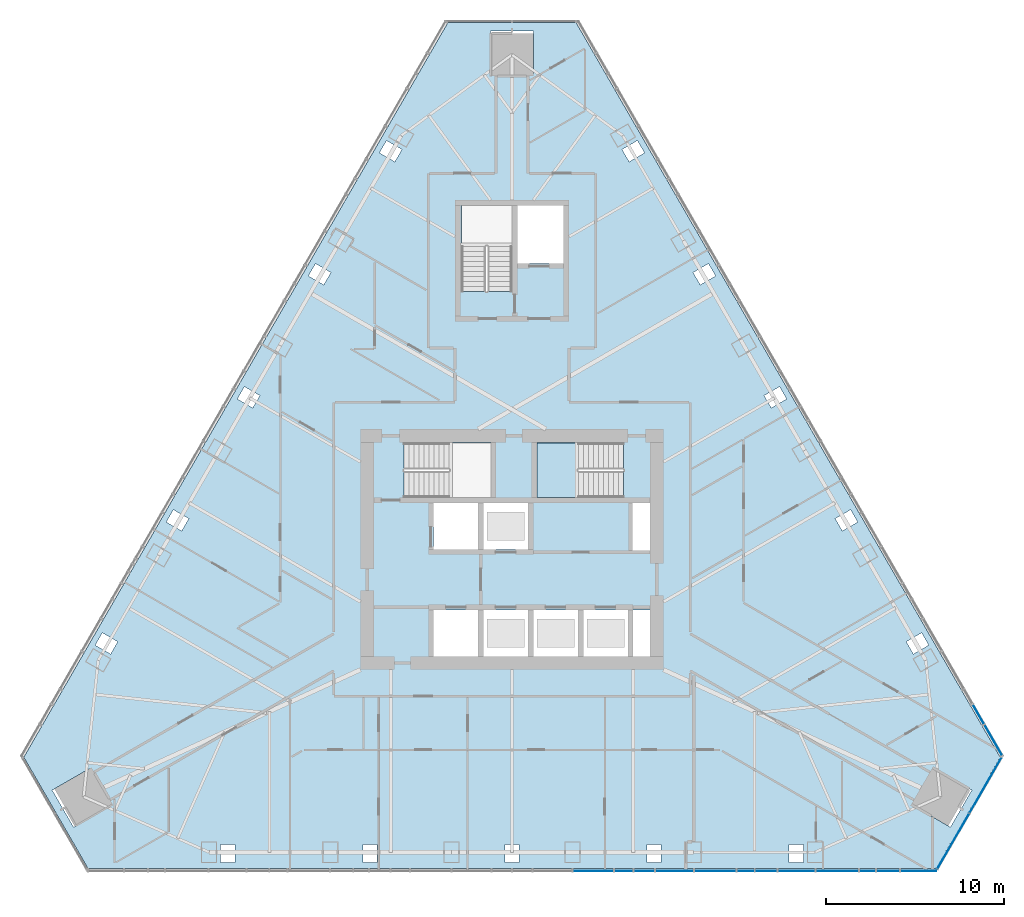
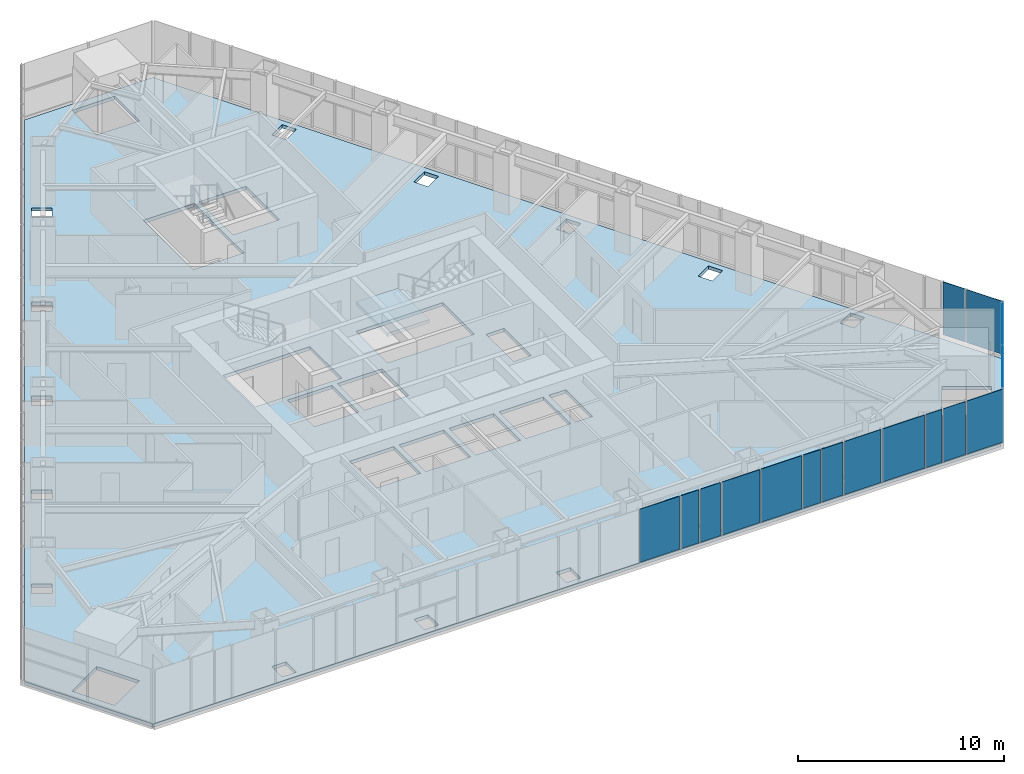
# One storey, part 11 of 19: 17 plates, 2 slabs, 4 elements without a shape of their own.
"""IFC4 building model written with IfcOpenShell, lengths in metres."""

from ifc_helpers import new_model, si_unit, direction, frame, origin, place, context, subcontext, project, spatial, polyline, outline, extrude, material, layer, layer_set, type_object, element, aggregate, save


model = new_model("IFC4")

# Units and contexts
model_context = context("Model", 3, precision=1e-05, world=origin(), true_north=direction((0.0, 1.0)))
body_context = subcontext(model_context, "Body", "Model", "MODEL_VIEW")
ifc_project = project(units=[si_unit("LENGTHUNIT", "METRE"), si_unit("AREAUNIT", "SQUARE_METRE"), si_unit("VOLUMEUNIT", "CUBIC_METRE"), si_unit("PLANEANGLEUNIT", "RADIAN"), si_unit("MASSUNIT", "GRAM", prefix="KILO")], contexts=[model_context])

# Site, building, storey
site_placement = place(None, origin())
site = spatial("IfcSite", under=ifc_project, at=site_placement, CompositionType="ELEMENT")
building_placement = place(site_placement, origin())
building = spatial("IfcBuilding", under=site, at=building_placement, Name="Firuza Gate Tower and Library", CompositionType="ELEMENT")
storey_placement = place(building_placement, frame((0.0, 0.0, 256.60009765625)))
storey = spatial("IfcBuildingStorey", under=building, at=storey_placement, Name="L60", CompositionType="ELEMENT", Elevation=256.60009765625)

# Slab
ifc_material_1 = material(Name="Concrete C40/50", Category="concrete")
ifc_layer_1 = layer(ifc_material_1, 0.199951171875)
ifc_layer_set_1 = layer_set([ifc_layer_1], Name="Composite floor slab 200 C40/50")
slab_type_1 = type_object("IfcSlabType", Name="Composite floor slab 200 C40/50", PredefinedType="FLOOR", material=ifc_layer_set_1)
slab_1_placement = place(storey_placement, frame((0.0, 0.0, -0.2001953125)))
element("IfcSlab", 1, at=slab_1_placement, inside=storey, type_object=slab_type_1, Name="Floor slab L60", PredefinedType="FLOOR", context=body_context, shape_type="SweptSolid", body=[
    extrude(outline(polyline([(47.60009765625, 63.337646484375), (51.199951171875, 57.10205078125), (98.800048828125, 57.10205078125), (102.39990234375, 63.337646484375), (78.60009765625, 104.560302734375), (71.39990234375, 104.560302734375), (47.60009765625, 63.337646484375)]), holes=[polyline([(59.449951171875, 57.429931640625), (58.64990234375, 57.429931640625), (58.64990234375, 58.429931640625), (59.449951171875, 58.429931640625), (59.449951171875, 57.429931640625)]), polyline([(66.625, 57.429931640625), (66.625, 58.429931640625), (67.425048828125, 58.429931640625), (67.425048828125, 57.429931640625), (66.625, 57.429931640625)]), polyline([(49.194580078125, 61.48681640625), (51.273193359375, 62.68701171875), (52.47314453125, 60.6083984375), (50.39453125, 59.408447265625), (49.194580078125, 61.48681640625)]), polyline([(52.0087890625, 70.318359375), (52.875, 69.818359375), (52.474853515625, 69.12548828125), (51.60888671875, 69.62548828125), (52.0087890625, 70.318359375)]), polyline([(73.10009765625, 69.0), (70.60009765625, 69.0), (70.60009765625, 71.60009765625), (73.10009765625, 71.60009765625), (73.10009765625, 69.0)]), polyline([(75.89990234375, 69.0), (73.39990234375, 69.0), (73.39990234375, 71.60009765625), (75.89990234375, 71.60009765625), (75.89990234375, 69.0)]), polyline([(73.10009765625, 75.0), (70.60009765625, 75.0), (70.60009765625, 77.60009765625), (73.10009765625, 77.60009765625), (73.10009765625, 75.0)]), polyline([(75.89990234375, 75.0), (73.39990234375, 75.0), (73.39990234375, 77.60009765625), (75.89990234375, 77.60009765625), (75.89990234375, 75.0)]), polyline([(55.996337890625, 77.224853515625), (56.862548828125, 76.724853515625), (56.46240234375, 76.031982421875), (55.596435546875, 76.531982421875), (55.996337890625, 77.224853515625)]), polyline([(68.9404296875, 77.89990234375), (68.9404296875, 80.97998046875), (73.81005859375, 80.97998046875), (73.81005859375, 77.89990234375), (68.9404296875, 77.89990234375)]), polyline([(59.98388671875, 84.13134765625), (60.849853515625, 83.63134765625), (60.449951171875, 82.938720703125), (59.583984375, 83.438720703125), (59.98388671875, 84.13134765625)]), polyline([(63.971435546875, 91.0380859375), (64.83740234375, 90.5380859375), (64.4375, 89.84521484375), (63.5712890625, 90.34521484375), (63.971435546875, 91.0380859375)]), polyline([(72.159912109375, 89.470458984375), (72.159912109375, 94.300048828125), (75.0, 94.300048828125), (75.0, 89.470458984375), (72.159912109375, 89.470458984375)]), polyline([(67.958984375, 97.944580078125), (68.824951171875, 97.444580078125), (68.425048828125, 96.751708984375), (67.558837890625, 97.251708984375), (67.958984375, 97.944580078125)]), polyline([(76.199951171875, 104.104736328125), (76.199951171875, 101.70458984375), (73.800048828125, 101.70458984375), (73.800048828125, 104.104736328125), (76.199951171875, 104.104736328125)]), polyline([(75.39990234375, 57.429931640625), (74.60009765625, 57.429931640625), (74.60009765625, 58.429931640625), (75.39990234375, 58.429931640625), (75.39990234375, 57.429931640625)]), polyline([(82.574951171875, 57.429931640625), (82.574951171875, 58.429931640625), (83.375, 58.429931640625), (83.375, 57.429931640625), (82.574951171875, 57.429931640625)]), polyline([(90.550048828125, 57.429931640625), (90.550048828125, 58.429931640625), (91.35009765625, 58.429931640625), (91.35009765625, 57.429931640625), (90.550048828125, 57.429931640625)]), polyline([(99.60546875, 59.408447265625), (97.52685546875, 60.6083984375), (98.726806640625, 62.68701171875), (100.805419921875, 61.48681640625), (99.60546875, 59.408447265625)]), polyline([(98.39111328125, 69.62548828125), (97.525146484375, 69.12548828125), (97.125, 69.818359375), (97.9912109375, 70.318359375), (98.39111328125, 69.62548828125)]), polyline([(78.699951171875, 69.0), (76.199951171875, 69.0), (76.199951171875, 71.60009765625), (78.699951171875, 71.60009765625), (78.699951171875, 69.0)]), polyline([(81.5, 69.0), (79.0, 69.0), (79.0, 71.60009765625), (81.5, 71.60009765625), (81.5, 69.0)]), polyline([(82.75, 69.0), (81.800048828125, 69.0), (81.800048828125, 71.60009765625), (82.75, 71.60009765625), (82.75, 69.0)]), polyline([(82.75, 74.949951171875), (81.75, 74.949951171875), (81.75, 77.60009765625), (82.75, 77.60009765625), (82.75, 74.949951171875)]), polyline([(94.403564453125, 76.531982421875), (93.53759765625, 76.031982421875), (93.137451171875, 76.724853515625), (94.003662109375, 77.224853515625), (94.403564453125, 76.531982421875)]), polyline([(81.259521484375, 80.97998046875), (81.259521484375, 77.89990234375), (76.389892578125, 77.89990234375), (76.389892578125, 80.97998046875), (81.259521484375, 80.97998046875)]), polyline([(90.416015625, 83.438720703125), (89.550048828125, 82.938720703125), (89.150146484375, 83.63134765625), (90.01611328125, 84.13134765625), (90.416015625, 83.438720703125)]), polyline([(86.4287109375, 90.34521484375), (85.5625, 89.84521484375), (85.16259765625, 90.5380859375), (86.028564453125, 91.0380859375), (86.4287109375, 90.34521484375)]), polyline([(77.89990234375, 91.050048828125), (75.300048828125, 91.050048828125), (75.300048828125, 94.300048828125), (77.89990234375, 94.300048828125), (77.89990234375, 91.050048828125)]), polyline([(82.441162109375, 97.251708984375), (81.574951171875, 96.751708984375), (81.175048828125, 97.444580078125), (82.041015625, 97.944580078125), (82.441162109375, 97.251708984375)])]), origin(), (0.0, 0.0, 1.0), 0.2001953125),
])

# Curtain wall, plate
ifc_material_2 = material(Name="Aluminium 6063-T6", Category="aluminium")
ifc_layer_2 = layer(ifc_material_2, 0.14990234375)
ifc_layer_set_2 = layer_set([ifc_layer_2], Name="Corner curtain wall, chamfers")
curtain_wall_type_1 = type_object("IfcCurtainWallType", Name="Corner curtain wall, chamfers", PredefinedType="NOTDEFINED", material=ifc_layer_set_2)
placement = place(storey_placement, origin())
curtain_wall_1 = element("IfcCurtainWall", 2, at=placement, inside=storey, type_object=curtain_wall_type_1, Name="CW4 L60 SE corner", PredefinedType="NOTDEFINED")
ifc_material_3 = material(Name="Fritted glass", Category="glass")
ifc_layer_3 = layer(ifc_material_3, 0.030029296875)
ifc_layer_set_3 = layer_set([ifc_layer_3], Name="Fritted glass unit, corners")
plate_type_1 = type_object("IfcPlateType", Name="Fritted glass unit, corners", PredefinedType="CURTAIN_PANEL", material=ifc_layer_set_3)
plate_1_placement = place(storey_placement, frame((98.876220703125, 57.05419921875, 0.14990234375), z_axis=(0.866016723041, -0.500015035186, 0.0), x_axis=(0.500015035186, 0.866016723041, 0.0)))
plate_1 = element("IfcPlate", 3, at=plate_1_placement, type_object=plate_type_1, Name="Glass unit", PredefinedType="CURTAIN_PANEL", context=body_context, shape_type="SweptSolid", body=[
    extrude(outline(polyline([(0.0, 0.0), (3.5633694106530625, 0.0), (3.5633694106530625, 1.5349121093749998), (0.0, 1.5349121093749998), (0.0, 0.0)])), origin(), (0.0, 0.0, -1.0), 0.030029296875),
])

# Curtain wall, plates
ifc_material_4 = material(Name="Aluminium 6063-T6", Category="aluminium")
ifc_layer_4 = layer(ifc_material_4, 0.14990234375)
ifc_layer_set_4 = layer_set([ifc_layer_4], Name="Unitised curtain wall, residences")
curtain_wall_type_2 = type_object("IfcCurtainWallType", Name="Unitised curtain wall, residences", PredefinedType="NOTDEFINED", material=ifc_layer_set_4)
curtain_wall_2 = element("IfcCurtainWall", 4, at=placement, inside=storey, type_object=curtain_wall_type_2, Name="CW3 L60 S face", PredefinedType="NOTDEFINED")
ifc_material_5 = material(Name="Fritted glass", Category="glass")
ifc_layer_5 = layer(ifc_material_5, 0.030029296875)
ifc_layer_set_5 = layer_set([ifc_layer_5], Name="Fritted glass unit, residences")
plate_type_2 = type_object("IfcPlateType", Name="Fritted glass unit, residences", PredefinedType="CURTAIN_PANEL", material=ifc_layer_set_5)
plate_2_placement = place(storey_placement, frame((80.76171875, 56.942138671875, 0.14990234375), z_axis=(0.0, -1.0, 0.0), x_axis=(1.0, 0.0, 0.0)))
plate_2 = element("IfcPlate", 5, at=plate_2_placement, type_object=plate_type_2, Name="Glass unit", PredefinedType="CURTAIN_PANEL", context=body_context, shape_type="SweptSolid", body=[
    extrude(outline(polyline([(0.0, 0.0), (1.0107421875, 0.0), (1.0107421875, 3.14990234375), (0.0, 3.14990234375), (0.0, 0.0)])), origin(), (0.0, 0.0, -1.0), 0.030029296875),
])
plate_3_placement = place(storey_placement, frame((81.852294921875, 56.942138671875, 0.14990234375), z_axis=(0.0, -1.0, 0.0), x_axis=(1.0, 0.0, 0.0)))
plate_3 = element("IfcPlate", 6, at=plate_3_placement, type_object=plate_type_2, Name="Glass unit", PredefinedType="CURTAIN_PANEL", context=body_context, shape_type="SweptSolid", body=[
    extrude(outline(polyline([(0.0, 0.0), (1.12890625, 0.0), (1.12890625, 3.14990234375), (0.0, 3.14990234375), (0.0, 0.0)])), origin(), (0.0, 0.0, -1.0), 0.030029296875),
])
plate_4_placement = place(storey_placement, frame((87.633056640625, 56.942138671875, 0.14990234375), z_axis=(0.0, -1.0, 0.0), x_axis=(1.0, 0.0, 0.0)))
plate_4 = element("IfcPlate", 7, at=plate_4_placement, type_object=plate_type_2, Name="Glass unit", PredefinedType="CURTAIN_PANEL", context=body_context, shape_type="SweptSolid", body=[
    extrude(outline(polyline([(0.0, 0.0), (0.95166015625, 0.0), (0.95166015625, 3.14990234375), (0.0, 3.14990234375), (0.0, 0.0)])), origin(), (0.0, 0.0, -1.0), 0.030029296875),
])
plate_5_placement = place(storey_placement, frame((88.664794921875, 56.942138671875, 0.14990234375), z_axis=(0.0, -1.0, 0.0), x_axis=(1.0, 0.0, 0.0)))
plate_5 = element("IfcPlate", 8, at=plate_5_placement, type_object=plate_type_2, Name="Glass unit", PredefinedType="CURTAIN_PANEL", context=body_context, shape_type="SweptSolid", body=[
    extrude(outline(polyline([(0.0, 0.0), (1.187744140625, 0.0), (1.187744140625, 3.14990234375), (0.0, 3.14990234375), (0.0, 0.0)])), origin(), (0.0, 0.0, -1.0), 0.030029296875),
])
plate_6_placement = place(storey_placement, frame((94.50439453125, 56.942138671875, 0.14990234375), z_axis=(0.0, -1.0, 0.0), x_axis=(1.0, 0.0, 0.0)))
plate_6 = element("IfcPlate", 9, at=plate_6_placement, type_object=plate_type_2, Name="Glass unit", PredefinedType="CURTAIN_PANEL", context=body_context, shape_type="SweptSolid", body=[
    extrude(outline(polyline([(0.0, 0.0), (0.892822265625, 0.0), (0.892822265625, 3.14990234375), (0.0, 3.14990234375), (0.0, 0.0)])), origin(), (0.0, 0.0, -1.0), 0.030029296875),
])
plate_7_placement = place(storey_placement, frame((95.47705078125, 56.942138671875, 0.14990234375), z_axis=(0.0, -1.0, 0.0), x_axis=(1.0, 0.0, 0.0)))
plate_7 = element("IfcPlate", 10, at=plate_7_placement, type_object=plate_type_2, Name="Glass unit", PredefinedType="CURTAIN_PANEL", context=body_context, shape_type="SweptSolid", body=[
    extrude(outline(polyline([(0.0, 0.0), (1.2470703125, 0.0), (1.2470703125, 3.14990234375), (0.0, 3.14990234375), (0.0, 0.0)])), origin(), (0.0, 0.0, -1.0), 0.030029296875),
])

# Curtain wall, plate
curtain_wall_3 = element("IfcCurtainWall", 11, at=placement, inside=storey, type_object=curtain_wall_type_2, Name="CW3 L60 E face", PredefinedType="NOTDEFINED")
plate_8_placement = place(storey_placement, frame((101.50048828125, 65.21533203125, 0.14990234375), z_axis=(0.86607798872, 0.499908909157, 0.0), x_axis=(-0.499908909157, 0.86607798872, 0.0)))
plate_8 = element("IfcPlate", 12, at=plate_8_placement, type_object=plate_type_2, Name="Glass unit", PredefinedType="CURTAIN_PANEL", context=body_context, shape_type="SweptSolid", body=[
    extrude(outline(polyline([(0.0, 0.0), (1.246809177047567, 0.0), (1.246809177047567, 3.14990234375), (0.0, 3.14990234375), (0.0, 0.0)])), origin(), (0.0, 0.0, -1.0), 0.030029296875),
])

# Plate
ifc_material_6 = material(Name="Glazed ceramic tile")
ifc_layer_6 = layer(ifc_material_6, 0.030029296875)
ifc_layer_set_6 = layer_set([ifc_layer_6], Name="Opaque ceramic panel, corners")
plate_type_3 = type_object("IfcPlateType", Name="Opaque ceramic panel, corners", PredefinedType="CURTAIN_PANEL", material=ifc_layer_set_6)
plate_9_placement = place(storey_placement, frame((98.876220703125, 57.05419921875, 1.764892578125), z_axis=(0.866016723041, -0.500015035186, 0.0), x_axis=(0.500015035186, 0.866016723041, 0.0)))
plate_9 = element("IfcPlate", 13, at=plate_9_placement, type_object=plate_type_3, Name="Opaque ceramic panel", PredefinedType="CURTAIN_PANEL", context=body_context, shape_type="SweptSolid", body=[
    extrude(outline(polyline([(0.0, 0.0), (3.5633694106530625, 0.0), (3.5633694106530625, 1.5349121093749998), (0.0, 1.5349121093749998), (0.0, 0.0)])), origin(), (0.0, 0.0, -1.0), 0.030029296875),
])

plate_10_placement = place(storey_placement, frame((100.697998046875, 60.20947265625, 0.14990234375), z_axis=(0.866046390552, -0.49996364809, 0.0), x_axis=(0.49996364809, 0.866046390552, 0.0)))
plate_10 = element("IfcPlate", 14, at=plate_10_placement, type_object=plate_type_3, Name="Opaque ceramic panel", PredefinedType="CURTAIN_PANEL", context=body_context, shape_type="SweptSolid", body=[
    extrude(outline(polyline([(0.0, 0.0), (3.563247342942594, 0.0), (3.563247342942594, 3.14990234375), (0.0, 3.14990234375), (0.0, 0.0)])), origin(), (0.0, 0.0, -1.0), 0.030029296875),
])

aggregate(curtain_wall_1, [plate_1, plate_9, plate_10])

ifc_material_7 = material(Name="Glazed ceramic tile")
ifc_layer_7 = layer(ifc_material_7, 0.030029296875)
ifc_layer_set_7 = layer_set([ifc_layer_7], Name="Opaque ceramic panel, residences")
plate_type_4 = type_object("IfcPlateType", Name="Opaque ceramic panel, residences", PredefinedType="CURTAIN_PANEL", material=ifc_layer_set_7)
plate_11_placement = place(storey_placement, frame((78.4462890625, 56.942138671875, 0.14990234375), z_axis=(0.0, -1.0, 0.0), x_axis=(1.0, 0.0, 0.0)))
plate_11 = element("IfcPlate", 15, at=plate_11_placement, type_object=plate_type_4, Name="Opaque ceramic panel", PredefinedType="CURTAIN_PANEL", context=body_context, shape_type="SweptSolid", body=[
    extrude(outline(polyline([(0.0, 0.0), (2.2353515625, 0.0), (2.2353515625, 3.14990234375), (0.0, 3.14990234375), (0.0, 0.0)])), origin(), (0.0, 0.0, -1.0), 0.030029296875),
])

plate_12_placement = place(storey_placement, frame((83.061279296875, 56.942138671875, 0.14990234375), z_axis=(0.0, -1.0, 0.0), x_axis=(1.0, 0.0, 0.0)))
plate_12 = element("IfcPlate", 16, at=plate_12_placement, type_object=plate_type_4, Name="Opaque ceramic panel", PredefinedType="CURTAIN_PANEL", context=body_context, shape_type="SweptSolid", body=[
    extrude(outline(polyline([(0.0, 0.0), (2.1171875, 0.0), (2.1171875, 3.14990234375), (0.0, 3.14990234375), (0.0, 0.0)])), origin(), (0.0, 0.0, -1.0), 0.030029296875),
])

plate_13_placement = place(storey_placement, frame((85.258544921875, 56.942138671875, 0.14990234375), z_axis=(0.0, -1.0, 0.0), x_axis=(1.0, 0.0, 0.0)))
plate_13 = element("IfcPlate", 17, at=plate_13_placement, type_object=plate_type_4, Name="Opaque ceramic panel", PredefinedType="CURTAIN_PANEL", context=body_context, shape_type="SweptSolid", body=[
    extrude(outline(polyline([(0.0, 0.0), (2.29443359375, 0.0), (2.29443359375, 3.14990234375), (0.0, 3.14990234375), (0.0, 0.0)])), origin(), (0.0, 0.0, -1.0), 0.030029296875),
])

plate_14_placement = place(storey_placement, frame((89.9326171875, 56.942138671875, 0.14990234375), z_axis=(0.0, -1.0, 0.0), x_axis=(1.0, 0.0, 0.0)))
plate_14 = element("IfcPlate", 18, at=plate_14_placement, type_object=plate_type_4, Name="Opaque ceramic panel", PredefinedType="CURTAIN_PANEL", context=body_context, shape_type="SweptSolid", body=[
    extrude(outline(polyline([(0.0, 0.0), (2.058349609375, 0.0), (2.058349609375, 3.14990234375), (0.0, 3.14990234375), (0.0, 0.0)])), origin(), (0.0, 0.0, -1.0), 0.030029296875),
])

plate_15_placement = place(storey_placement, frame((92.071044921875, 56.942138671875, 0.14990234375), z_axis=(0.0, -1.0, 0.0), x_axis=(1.0, 0.0, 0.0)))
plate_15 = element("IfcPlate", 19, at=plate_15_placement, type_object=plate_type_4, Name="Opaque ceramic panel", PredefinedType="CURTAIN_PANEL", context=body_context, shape_type="SweptSolid", body=[
    extrude(outline(polyline([(0.0, 0.0), (2.353515625, 0.0), (2.353515625, 3.14990234375), (0.0, 3.14990234375), (0.0, 0.0)])), origin(), (0.0, 0.0, -1.0), 0.030029296875),
])

plate_16_placement = place(storey_placement, frame((96.803955078125, 56.942138671875, 0.14990234375), z_axis=(0.0, -1.0, 0.0), x_axis=(1.0, 0.0, 0.0)))
plate_16 = element("IfcPlate", 20, at=plate_16_placement, type_object=plate_type_4, Name="Opaque ceramic panel", PredefinedType="CURTAIN_PANEL", context=body_context, shape_type="SweptSolid", body=[
    extrude(outline(polyline([(0.0, 0.0), (1.999267578125, 0.0), (1.999267578125, 3.14990234375), (0.0, 3.14990234375), (0.0, 0.0)])), origin(), (0.0, 0.0, -1.0), 0.030029296875),
])

aggregate(curtain_wall_2, [plate_11, plate_2, plate_3, plate_12, plate_13, plate_4, plate_5, plate_14, plate_15, plate_6, plate_7, plate_16])

plate_17_placement = place(storey_placement, frame((102.540283203125, 63.41455078125, 0.14990234375), z_axis=(0.866002566612, 0.500039553057, 0.0), x_axis=(-0.500039553057, 0.866002566612, 0.0)))
plate_17 = element("IfcPlate", 21, at=plate_17_placement, type_object=plate_type_4, Name="Opaque ceramic panel", PredefinedType="CURTAIN_PANEL", context=body_context, shape_type="SweptSolid", body=[
    extrude(outline(polyline([(0.0, 0.0), (1.9993535576612924, 0.0), (1.9993535576612924, 3.14990234375), (0.0, 3.14990234375), (0.0, 0.0)])), origin(), (0.0, 0.0, -1.0), 0.030029296875),
])

aggregate(curtain_wall_3, [plate_17, plate_8])

# Stair, slab
ifc_material_8 = material(Name="Concrete C35/45", Category="concrete")
stair_type = type_object("IfcStairType", Name="Exit stair ST8", PredefinedType="HALF_TURN_STAIR", material=ifc_material_8)
stair = element("IfcStair", 22, at=placement, inside=storey, type_object=stair_type, Name="L60 Stair ST2", PredefinedType="HALF_TURN_STAIR")
ifc_material_9 = material(Name="Concrete C35/45", Category="concrete")
ifc_layer_8 = layer(ifc_material_9, 0.199951171875)
ifc_layer_set_8 = layer_set([ifc_layer_8], Name="Stair landing 200")
slab_type_2 = type_object("IfcSlabType", Name="Stair landing 200", PredefinedType="LANDING", material=ifc_layer_set_8)
slab_2_placement = place(storey_placement, frame((0.0, 0.0, 1.5498046875)))
slab_2 = element("IfcSlab", 23, at=slab_2_placement, type_object=slab_type_2, Name="ST2 landing 1", PredefinedType="LANDING", context=body_context, shape_type="SweptSolid", body=[
    extrude(outline(polyline([(78.739990234375, 80.97998046875), (76.389892578125, 80.97998046875), (76.389892578125, 77.89990234375), (78.739990234375, 77.89990234375), (78.739990234375, 80.97998046875)])), origin(), (0.0, 0.0, 1.0), 0.2001953125),
])
aggregate(stair, [slab_2])

save(model, "model.ifc")
